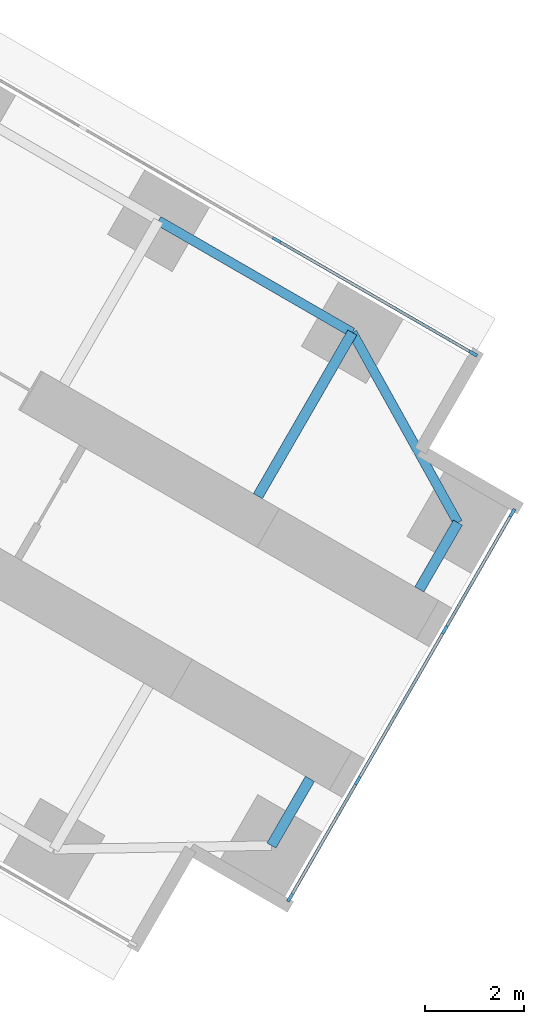
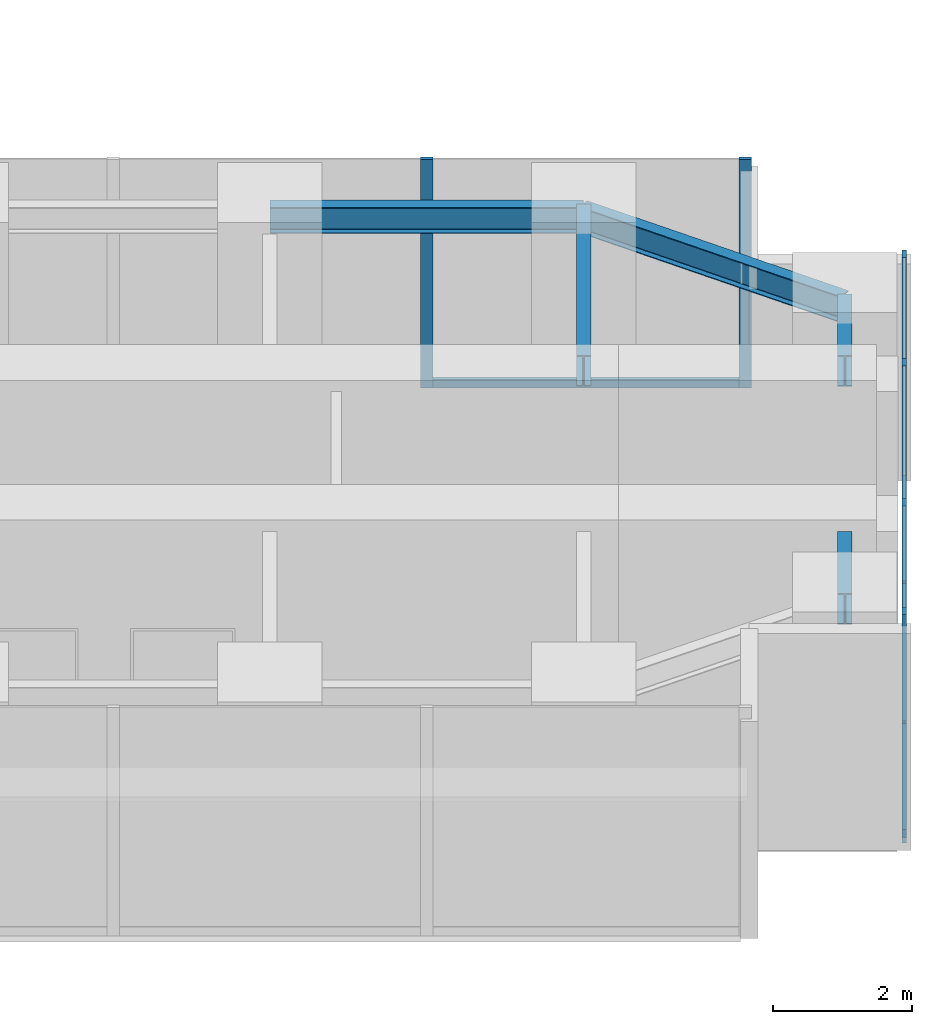
# One storey, part 12 of 23: 10 members, 5 beams, 2 elements without a shape of their own.
"""IFC4 building model written with IfcOpenShell, lengths in metres."""

from ifc_helpers import new_model, si_unit, direction, frame, origin, origin_2d, place, context, subcontext, project, spatial, rectangle, i_section, extrude, material, material_profile, profile_set, type_object, element, aggregate, save


model = new_model("IFC4")

# Units and contexts
model_context = context("Model", 3, precision=1e-05, world=origin(), true_north=direction((0.0, 1.0)))
body_context = subcontext(model_context, "Body", "Model", "MODEL_VIEW")
ifc_project = project(units=[si_unit("LENGTHUNIT", "METRE"), si_unit("AREAUNIT", "SQUARE_METRE"), si_unit("VOLUMEUNIT", "CUBIC_METRE"), si_unit("PLANEANGLEUNIT", "RADIAN"), si_unit("MASSUNIT", "GRAM", prefix="KILO")], contexts=[model_context])

# Site, building, storey
site_placement = place(None, origin())
site = spatial("IfcSite", under=ifc_project, at=site_placement, CompositionType="ELEMENT")
building_placement = place(site_placement, origin())
building = spatial("IfcBuilding", under=site, at=building_placement, Name="Upepo Twin Towers", CompositionType="ELEMENT")
storey_placement = place(building_placement, frame((0.0, 0.0, 32.5)))
storey = spatial("IfcBuildingStorey", under=building, at=storey_placement, Name="L07", CompositionType="ELEMENT", Elevation=32.5)

# Beams
ifc_material_1 = material(Name="Steel S355", Category="steel")
ifc_material_profile_1 = material_profile(ifc_material_1, i_section(OverallWidth=0.1904296875, OverallDepth=0.45703125, WebThickness=0.009033203125, FlangeThickness=0.014404296875, FilletRadius=0.01025390625, at=origin_2d()), Name="UB 457x191x74")
ifc_profile_set_1 = profile_set([ifc_material_profile_1], Name="Steel S355")
beam_type_1 = type_object("IfcBeamType", Name="Beam UB 457x191x74", PredefinedType="BEAM", material=ifc_profile_set_1)
beam_1_placement = place(storey_placement, frame((77.08837890625, -21.803955078125, 3.571533203125), z_axis=(0.866031096941, -0.499990139034, 0.0), x_axis=(0.499990139034, 0.866031096941, 0.0)))
element("IfcBeam", 1, at=beam_1_placement, inside=storey, type_object=beam_type_1, Name="T2 edge beam CL 18.0-22.5", PredefinedType="BEAM", context=body_context, shape_type="SweptSolid", body=[
    extrude(i_section(OverallWidth=0.1904296875, OverallDepth=0.45703125, WebThickness=0.009033203125, FlangeThickness=0.014404296875, FilletRadius=0.01025390625, at=origin_2d()), origin(), (0.0, 0.0, 1.0), 4.5),
])
beam_2_placement = place(storey_placement, frame((80.985595703125, -24.053955078125, 3.571533203125), z_axis=(0.485363242752, -0.874312600038, 0.0), x_axis=(0.874312600038, 0.485363242752, 0.0)))
element("IfcBeam", 2, at=beam_2_placement, inside=storey, type_object=beam_type_1, Name="T2 nose edge beam CL", PredefinedType="BEAM", context=body_context, shape_type="SweptSolid", body=[
    extrude(i_section(OverallWidth=0.1904296875, OverallDepth=0.45703125, WebThickness=0.009033203125, FlangeThickness=0.014404296875, FilletRadius=0.01025390625, at=origin_2d()), origin(), (0.0, 0.0, 1.0), 4.373046875),
])
ifc_material_2 = material(Name="Steel S355", Category="steel")
ifc_material_profile_2 = material_profile(ifc_material_2, i_section(OverallWidth=0.2099609375, OverallDepth=0.53662109375, WebThickness=0.0107421875, FlangeThickness=0.017333984375, FilletRadius=0.0126953125, at=origin_2d()), Name="UB 533x210x101")
ifc_profile_set_2 = profile_set([ifc_material_profile_2], Name="Steel S355")
beam_type_2 = type_object("IfcBeamType", Name="Beam UB 533x210x101", PredefinedType="BEAM", material=ifc_profile_set_2)
for number, where, z_axis, x_axis, name in (
    (3, (83.108154296875, -27.87744140625, 3.53173828125), (-0.499967891604, -0.866043940782, 0.0), (0.866043940782, -0.499967891604, 0.0), "T2 nose beam CL"),
    (4, (79.358154296875, -34.37255859375, 3.53173828125), (0.499967891604, 0.866043940782, 0.0), (-0.866043940782, 0.499967891604, 0.0), "T2 nose beam CR"),
):
    element("IfcBeam", number, at=place(storey_placement, frame(where, z_axis=z_axis, x_axis=x_axis)), inside=storey, type_object=beam_type_2, Name=name, PredefinedType="BEAM", context=body_context, shape_type="SweptSolid", body=[
        extrude(i_section(OverallWidth=0.2099609375, OverallDepth=0.53662109375, WebThickness=0.0107421875, FlangeThickness=0.017333984375, FilletRadius=0.0126953125, at=origin_2d()), origin(), (0.0, 0.0, 1.0), 1.5498046875),
    ])
ifc_material_3 = material(Name="Steel S355", Category="steel")
ifc_material_profile_3 = material_profile(ifc_material_3, i_section(OverallWidth=0.209228515625, OverallDepth=0.533203125, WebThickness=0.010009765625, FlangeThickness=0.015625, FilletRadius=0.0126953125, at=origin_2d()), Name="UB 533x210x92")
ifc_profile_set_3 = profile_set([ifc_material_profile_3], Name="Steel S355")
beam_type_3 = type_object("IfcBeamType", Name="Beam UB 533x210x92", PredefinedType="BEAM", material=ifc_profile_set_3)
beam_3_placement = place(storey_placement, frame((80.985595703125, -24.053955078125, 3.533447265625), z_axis=(-0.499994975061, -0.866028304915, 0.0), x_axis=(0.866028304915, -0.499994975061, 0.0)))
element("IfcBeam", 5, at=beam_3_placement, inside=storey, type_object=beam_type_3, Name="T2 girder CL at 22.5", PredefinedType="BEAM", context=body_context, shape_type="SweptSolid", body=[
    extrude(i_section(OverallWidth=0.209228515625, OverallDepth=0.533203125, WebThickness=0.010009765625, FlangeThickness=0.015625, FilletRadius=0.0126953125, at=origin_2d()), origin(), (0.0, 0.0, 1.0), 3.7998046875),
])

# Curtain wall, members
ifc_material_4 = material(Name="Aluminium and fritted glass", Category="aluminium")
curtain_wall_type = type_object("IfcCurtainWallType", Name="Tower curtain wall TW1, fritted glass", PredefinedType="NOTDEFINED", material=ifc_material_4)
curtain_wall_1_placement = place(storey_placement, origin())
curtain_wall_1 = element("IfcCurtainWall", 6, at=curtain_wall_1_placement, inside=storey, type_object=curtain_wall_type, Name="T2 L07 wing C flank L curtain wall", PredefinedType="NOTDEFINED")
ifc_material_5 = material(Name="Aluminium mullion", Category="aluminium")
ifc_material_profile_4 = material_profile(ifc_material_5, rectangle(XDim=0.06494140625, YDim=0.179931640625, at=origin_2d()), Name="MULLION 65x180")
ifc_profile_set_4 = profile_set([ifc_material_profile_4], Name="Aluminium mullion")
member_type_1 = type_object("IfcMemberType", Name="Mullion 65x180 TW1", PredefinedType="MULLION", material=ifc_profile_set_4)
member_1_placement = place(storey_placement, frame((79.4619140625, -22.192626953125, 0.0), z_axis=(0.0, 0.0, 1.0), x_axis=(0.500000024426, 0.866025389682, 0.0)))
member_1 = element("IfcMember", 7, at=member_1_placement, type_object=member_type_1, Name="T2 L07 wing C flank L curtain wall mullion 3", PredefinedType="MULLION", context=body_context, shape_type="SweptSolid", body=[
    extrude(rectangle(XDim=0.06494140625, YDim=0.179931640625, at=origin_2d()), origin(), (0.0, 0.0, 1.0), 4.0),
])
member_2_placement = place(storey_placement, frame((83.41748046875, -24.4765625, 0.0), z_axis=(0.0, 0.0, 1.0), x_axis=(0.500000024426, 0.866025389682, 0.0)))
member_2 = element("IfcMember", 8, at=member_2_placement, type_object=member_type_1, Name="T2 L07 wing C flank L curtain wall mullion 4", PredefinedType="MULLION", context=body_context, shape_type="SweptSolid", body=[
    extrude(rectangle(XDim=0.06494140625, YDim=0.179931640625, at=origin_2d()), origin(), (0.0, 0.0, 1.0), 4.0),
])

curtain_wall_2_placement = place(storey_placement, origin())
curtain_wall_2 = element("IfcCurtainWall", 9, at=curtain_wall_2_placement, inside=storey, type_object=curtain_wall_type, Name="T2 L07 wing C nose curtain wall", PredefinedType="NOTDEFINED")
member_3_placement = place(storey_placement, frame((79.735595703125, -35.4189453125, 0.0), z_axis=(0.0, 0.0, 1.0), x_axis=(-0.866025386174, 0.500000030502, 0.0)))
member_3 = element("IfcMember", 10, at=member_3_placement, type_object=member_type_1, Name="T2 L07 wing C nose curtain wall mullion 1", PredefinedType="MULLION", context=body_context, shape_type="SweptSolid", body=[
    extrude(rectangle(XDim=0.06494140625, YDim=0.179931640625, at=origin_2d()), origin(), (0.0, 0.0, 1.0), 4.0),
])
member_4_placement = place(storey_placement, frame((81.09423828125, -33.0654296875, 0.0), z_axis=(0.0, 0.0, 1.0), x_axis=(-0.866025386174, 0.500000030502, 0.0)))
member_4 = element("IfcMember", 11, at=member_4_placement, type_object=member_type_1, Name="T2 L07 wing C nose curtain wall mullion 2", PredefinedType="MULLION", context=body_context, shape_type="SweptSolid", body=[
    extrude(rectangle(XDim=0.06494140625, YDim=0.179931640625, at=origin_2d()), origin(), (0.0, 0.0, 1.0), 4.0),
])
member_5_placement = place(storey_placement, frame((82.84423828125, -30.034423828125, 0.0), z_axis=(0.0, 0.0, 1.0), x_axis=(-0.866025386174, 0.500000030502, 0.0)))
member_5 = element("IfcMember", 12, at=member_5_placement, type_object=member_type_1, Name="T2 L07 wing C nose curtain wall mullion 3", PredefinedType="MULLION", context=body_context, shape_type="SweptSolid", body=[
    extrude(rectangle(XDim=0.06494140625, YDim=0.179931640625, at=origin_2d()), origin(), (0.0, 0.0, 1.0), 4.0),
])
member_6_placement = place(storey_placement, frame((84.203125, -27.68115234375, 0.0), z_axis=(0.0, 0.0, 1.0), x_axis=(-0.866025386174, 0.500000030502, 0.0)))
member_6 = element("IfcMember", 13, at=member_6_placement, type_object=member_type_1, Name="T2 L07 wing C nose curtain wall mullion 4", PredefinedType="MULLION", context=body_context, shape_type="SweptSolid", body=[
    extrude(rectangle(XDim=0.06494140625, YDim=0.179931640625, at=origin_2d()), origin(), (0.0, 0.0, 1.0), 4.0),
])

# Member
ifc_material_6 = material(Name="Aluminium transom", Category="aluminium")
ifc_material_profile_5 = material_profile(ifc_material_6, rectangle(XDim=0.06494140625, YDim=0.14990234375, at=origin_2d()), Name="TRANSOM 65x150")
ifc_profile_set_5 = profile_set([ifc_material_profile_5], Name="Aluminium transom")
member_type_2 = type_object("IfcMemberType", Name="Transom 65x150 TW1", PredefinedType="USERDEFINED", material=ifc_profile_set_5)
member_7_placement = place(storey_placement, frame((79.490234375, -22.208984375, 0.074951171875), z_axis=(0.866022143554, -0.500005646842, 0.0), x_axis=(0.500005646842, 0.866022143554, 0.0)))
member_7 = element("IfcMember", 14, at=member_7_placement, type_object=member_type_2, Name="T2 L07 wing C flank L curtain wall transom 3", ObjectType="TRANSOM", PredefinedType="USERDEFINED", context=body_context, shape_type="SweptSolid", body=[
    extrude(rectangle(XDim=0.06494140625, YDim=0.14990234375, at=origin_2d()), origin(), (0.0, 0.0, 1.0), 4.50244140625),
])

aggregate(curtain_wall_1, [member_1, member_2, member_7])

member_8_placement = place(storey_placement, frame((79.751708984375, -35.390869140625, 0.074951171875), z_axis=(0.500049101008, 0.865997053448, 0.0), x_axis=(-0.865997053448, 0.500049101008, 0.0)))
member_8 = element("IfcMember", 15, at=member_8_placement, type_object=member_type_2, Name="T2 L07 wing C nose curtain wall transom 1", ObjectType="TRANSOM", PredefinedType="USERDEFINED", context=body_context, shape_type="SweptSolid", body=[
    extrude(rectangle(XDim=0.06494140625, YDim=0.14990234375, at=origin_2d()), origin(), (0.0, 0.0, 1.0), 2.652587890625),
])

member_9_placement = place(storey_placement, frame((81.110595703125, -33.037353515625, 0.074951171875), z_axis=(0.499999305434, 0.866025804792, 0.0), x_axis=(-0.866025804792, 0.499999305434, 0.0)))
member_9 = element("IfcMember", 16, at=member_9_placement, type_object=member_type_2, Name="T2 L07 wing C nose curtain wall transom 2", ObjectType="TRANSOM", PredefinedType="USERDEFINED", context=body_context, shape_type="SweptSolid", body=[
    extrude(rectangle(XDim=0.06494140625, YDim=0.14990234375, at=origin_2d()), origin(), (0.0, 0.0, 1.0), 3.43505859375),
])

member_10_placement = place(storey_placement, frame((82.860595703125, -30.00634765625, 0.074951171875), z_axis=(0.499980071345, 0.866036909293, 0.0), x_axis=(-0.866036909293, 0.499980071345, 0.0)))
member_10 = element("IfcMember", 17, at=member_10_placement, type_object=member_type_2, Name="T2 L07 wing C nose curtain wall transom 3", ObjectType="TRANSOM", PredefinedType="USERDEFINED", context=body_context, shape_type="SweptSolid", body=[
    extrude(rectangle(XDim=0.06494140625, YDim=0.14990234375, at=origin_2d()), origin(), (0.0, 0.0, 1.0), 2.65234375),
])

aggregate(curtain_wall_2, [member_3, member_4, member_5, member_6, member_8, member_9, member_10])

save(model, "model.ifc")
